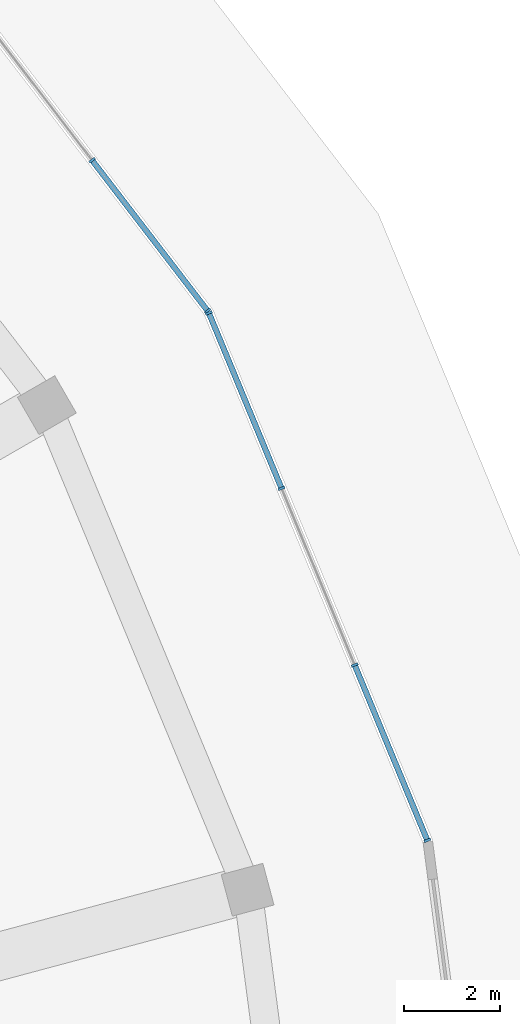
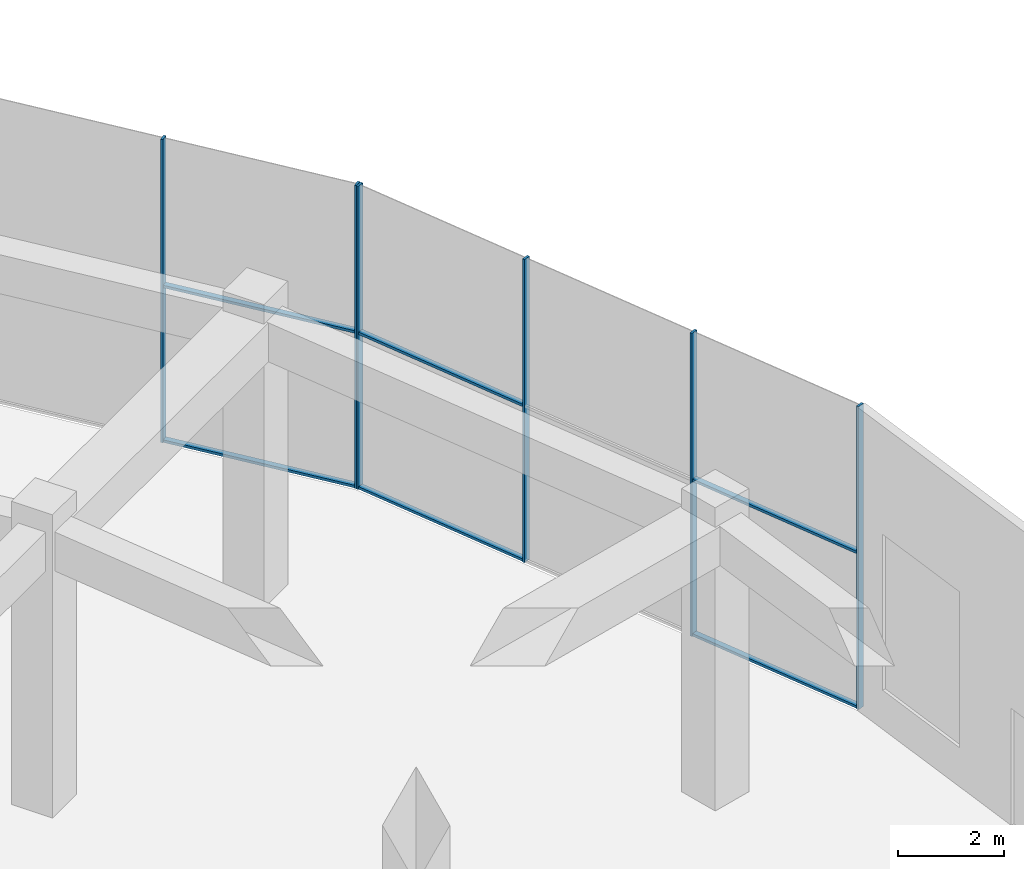
# One storey, part 18 of 31: 12 members, 2 elements without a shape of their own.
"""IFC4 building model written with IfcOpenShell, lengths in metres."""

from ifc_helpers import new_model, si_unit, direction, frame, origin, origin_2d, place, context, subcontext, project, spatial, rectangle, extrude, material, layer, layer_set, material_profile, profile_set, type_object, element, aggregate, save


model = new_model("IFC4")

# Units and contexts
model_context = context("Model", 3, precision=1e-05, world=origin(), true_north=direction((0.0, 1.0)))
body_context = subcontext(model_context, "Body", "Model", "MODEL_VIEW")
ifc_project = project(units=[si_unit("LENGTHUNIT", "METRE"), si_unit("AREAUNIT", "SQUARE_METRE"), si_unit("VOLUMEUNIT", "CUBIC_METRE"), si_unit("PLANEANGLEUNIT", "RADIAN"), si_unit("MASSUNIT", "GRAM", prefix="KILO")], contexts=[model_context])

# Site, building, storey
site_placement = place(None, origin())
site = spatial("IfcSite", under=ifc_project, at=site_placement, CompositionType="ELEMENT")
building_placement = place(site_placement, origin())
building = spatial("IfcBuilding", under=site, at=building_placement, Name="Torre Brocal", CompositionType="ELEMENT")
storey_placement = place(building_placement, origin())
storey = spatial("IfcBuildingStorey", under=building, at=storey_placement, Name="L00", CompositionType="ELEMENT", Elevation=0.0)

# Curtain wall, members
ifc_material_1 = material(Name="Aluminium and glass", Category="aluminium")
ifc_layer = layer(ifc_material_1, 0.199951171875)
ifc_layer_set = layer_set([ifc_layer], Name="Aluminium and glass")
curtain_wall_type = type_object("IfcCurtainWallType", Name="CW-3 CURTAIN WALL 7000 HIGH", PredefinedType="NOTDEFINED", material=ifc_layer_set)
curtain_wall_1_placement = place(storey_placement, origin())
curtain_wall_1 = element("IfcCurtainWall", 1, at=curtain_wall_1_placement, inside=storey, type_object=curtain_wall_type, Name="CW-3 RUN 2", PredefinedType="NOTDEFINED")
ifc_material_2 = material(Name="Aluminium, dark anodised", Category="aluminium")
ifc_material_profile_1 = material_profile(ifc_material_2, rectangle(XDim=0.14990234375, YDim=0.050048828125, at=origin_2d()), Name="CW-3 MULLION 50X150")
ifc_profile_set_1 = profile_set([ifc_material_profile_1], Name="Aluminium, dark anodised")
member_type_1 = type_object("IfcMemberType", Name="CW-3 MULLION 50X150", PredefinedType="MULLION", material=ifc_profile_set_1)
member_1_placement = place(storey_placement, frame((124.32568359375, 86.902587890625, 0.0), z_axis=(0.0, 0.0, 1.0), x_axis=(-0.923879532525, -0.382683432333, 0.0)))
member_1 = element("IfcMember", 2, at=member_1_placement, type_object=member_type_1, Name="CW3-1 mullion 1", PredefinedType="MULLION", context=body_context, shape_type="SweptSolid", body=[
    extrude(rectangle(XDim=0.14990234375, YDim=0.050048828125, at=origin_2d()), origin(), (0.0, 0.0, 1.0), 7.0),
])
member_2_placement = place(storey_placement, frame((122.806640625, 90.569580078125, 0.0), z_axis=(0.0, 0.0, 1.0), x_axis=(-0.923879532525, -0.382683432333, 0.0)))
member_2 = element("IfcMember", 3, at=member_2_placement, type_object=member_type_1, Name="CW3-1 mullion 2", PredefinedType="MULLION", context=body_context, shape_type="SweptSolid", body=[
    extrude(rectangle(XDim=0.14990234375, YDim=0.050048828125, at=origin_2d()), origin(), (0.0, 0.0, 1.0), 7.0),
])
member_3_placement = place(storey_placement, frame((121.2783203125, 94.259521484375, 0.0), z_axis=(0.0, 0.0, 1.0), x_axis=(-0.923879532525, -0.382683432333, 0.0)))
member_3 = element("IfcMember", 4, at=member_3_placement, type_object=member_type_1, Name="CW3-1 mullion 3", PredefinedType="MULLION", context=body_context, shape_type="SweptSolid", body=[
    extrude(rectangle(XDim=0.14990234375, YDim=0.050048828125, at=origin_2d()), origin(), (0.0, 0.0, 1.0), 7.0),
])
member_4_placement = place(storey_placement, frame((119.75927734375, 97.926513671875, 0.0), z_axis=(0.0, 0.0, 1.0), x_axis=(-0.923879532525, -0.382683432333, 0.0)))
member_4 = element("IfcMember", 5, at=member_4_placement, type_object=member_type_1, Name="CW3-1 mullion 4", PredefinedType="MULLION", context=body_context, shape_type="SweptSolid", body=[
    extrude(rectangle(XDim=0.14990234375, YDim=0.050048828125, at=origin_2d()), origin(), (0.0, 0.0, 1.0), 7.0),
])

curtain_wall_2_placement = place(storey_placement, origin())
curtain_wall_2 = element("IfcCurtainWall", 6, at=curtain_wall_2_placement, inside=storey, type_object=curtain_wall_type, Name="CW-3 RUN 3", PredefinedType="NOTDEFINED")
member_5_placement = place(storey_placement, frame((119.734619140625, 97.969482421875, 0.0), z_axis=(0.0, 0.0, 1.0), x_axis=(-0.793353340291, -0.608761429009, 0.0)))
member_5 = element("IfcMember", 7, at=member_5_placement, type_object=member_type_1, Name="CW3-1 mullion 1", PredefinedType="MULLION", context=body_context, shape_type="SweptSolid", body=[
    extrude(rectangle(XDim=0.14990234375, YDim=0.050048828125, at=origin_2d()), origin(), (0.0, 0.0, 1.0), 7.0),
])
member_6_placement = place(storey_placement, frame((117.318359375, 101.1181640625, 0.0), z_axis=(0.0, 0.0, 1.0), x_axis=(-0.793353340291, -0.608761429009, 0.0)))
member_6 = element("IfcMember", 8, at=member_6_placement, type_object=member_type_1, Name="CW3-1 mullion 2", PredefinedType="MULLION", context=body_context, shape_type="SweptSolid", body=[
    extrude(rectangle(XDim=0.14990234375, YDim=0.050048828125, at=origin_2d()), origin(), (0.0, 0.0, 1.0), 7.0),
])

# Member
ifc_material_3 = material(Name="Aluminium, dark anodised", Category="aluminium")
ifc_material_profile_2 = material_profile(ifc_material_3, rectangle(XDim=0.1201171875, YDim=0.06005859375, at=origin_2d()), Name="CW-3 TRANSOM 120X60")
ifc_profile_set_2 = profile_set([ifc_material_profile_2], Name="Aluminium, dark anodised")
member_type_2 = type_object("IfcMemberType", Name="CW-3 TRANSOM 120X60", PredefinedType="USERDEFINED", material=ifc_profile_set_2)
member_7_placement = place(storey_placement, frame((124.31591796875, 86.92578125, 0.030029296875), z_axis=(-0.382694751573, 0.92387484386, 0.0), x_axis=(-0.92387484386, -0.382694751573, 0.0)))
member_7 = element("IfcMember", 9, at=member_7_placement, type_object=member_type_2, Name="CW3-1 transom 1.1", ObjectType="TRANSOM", PredefinedType="USERDEFINED", context=body_context, shape_type="SweptSolid", body=[
    extrude(rectangle(XDim=0.1201171875, YDim=0.06005859375, at=origin_2d()), origin(), (0.0, 0.0, 1.0), 3.9189453125),
])

member_8_placement = place(storey_placement, frame((124.31591796875, 86.92578125, 3.60009765625), z_axis=(-0.382694751573, 0.92387484386, 0.0), x_axis=(-0.92387484386, -0.382694751573, 0.0)))
member_8 = element("IfcMember", 10, at=member_8_placement, type_object=member_type_2, Name="CW3-1 transom 1.2", ObjectType="TRANSOM", PredefinedType="USERDEFINED", context=body_context, shape_type="SweptSolid", body=[
    extrude(rectangle(XDim=0.1201171875, YDim=0.06005859375, at=origin_2d()), origin(), (0.0, 0.0, 1.0), 3.9189453125),
])

member_9_placement = place(storey_placement, frame((121.268798828125, 94.28271484375, 0.030029296875), z_axis=(-0.382694751573, 0.92387484386, 0.0), x_axis=(-0.92387484386, -0.382694751573, 0.0)))
member_9 = element("IfcMember", 11, at=member_9_placement, type_object=member_type_2, Name="CW3-1 transom 3.1", ObjectType="TRANSOM", PredefinedType="USERDEFINED", context=body_context, shape_type="SweptSolid", body=[
    extrude(rectangle(XDim=0.1201171875, YDim=0.06005859375, at=origin_2d()), origin(), (0.0, 0.0, 1.0), 3.9189453125),
])

member_10_placement = place(storey_placement, frame((121.268798828125, 94.28271484375, 3.60009765625), z_axis=(-0.382694751573, 0.92387484386, 0.0), x_axis=(-0.92387484386, -0.382694751573, 0.0)))
member_10 = element("IfcMember", 12, at=member_10_placement, type_object=member_type_2, Name="CW3-1 transom 3.2", ObjectType="TRANSOM", PredefinedType="USERDEFINED", context=body_context, shape_type="SweptSolid", body=[
    extrude(rectangle(XDim=0.1201171875, YDim=0.06005859375, at=origin_2d()), origin(), (0.0, 0.0, 1.0), 3.9189453125),
])

aggregate(curtain_wall_1, [member_1, member_2, member_3, member_4, member_7, member_8, member_9, member_10])

member_11_placement = place(storey_placement, frame((119.719482421875, 97.9892578125, 0.030029296875), z_axis=(-0.60876498961, 0.793350608133, 0.0), x_axis=(-0.793350608133, -0.60876498961, 0.0)))
member_11 = element("IfcMember", 13, at=member_11_placement, type_object=member_type_2, Name="CW3-1 transom 1.1", ObjectType="TRANSOM", PredefinedType="USERDEFINED", context=body_context, shape_type="SweptSolid", body=[
    extrude(rectangle(XDim=0.1201171875, YDim=0.06005859375, at=origin_2d()), origin(), (0.0, 0.0, 1.0), 3.9189453125),
])

member_12_placement = place(storey_placement, frame((119.719482421875, 97.9892578125, 3.60009765625), z_axis=(-0.60876498961, 0.793350608133, 0.0), x_axis=(-0.793350608133, -0.60876498961, 0.0)))
member_12 = element("IfcMember", 14, at=member_12_placement, type_object=member_type_2, Name="CW3-1 transom 1.2", ObjectType="TRANSOM", PredefinedType="USERDEFINED", context=body_context, shape_type="SweptSolid", body=[
    extrude(rectangle(XDim=0.1201171875, YDim=0.06005859375, at=origin_2d()), origin(), (0.0, 0.0, 1.0), 3.9189453125),
])

aggregate(curtain_wall_2, [member_5, member_6, member_11, member_12])

save(model, "model.ifc")
